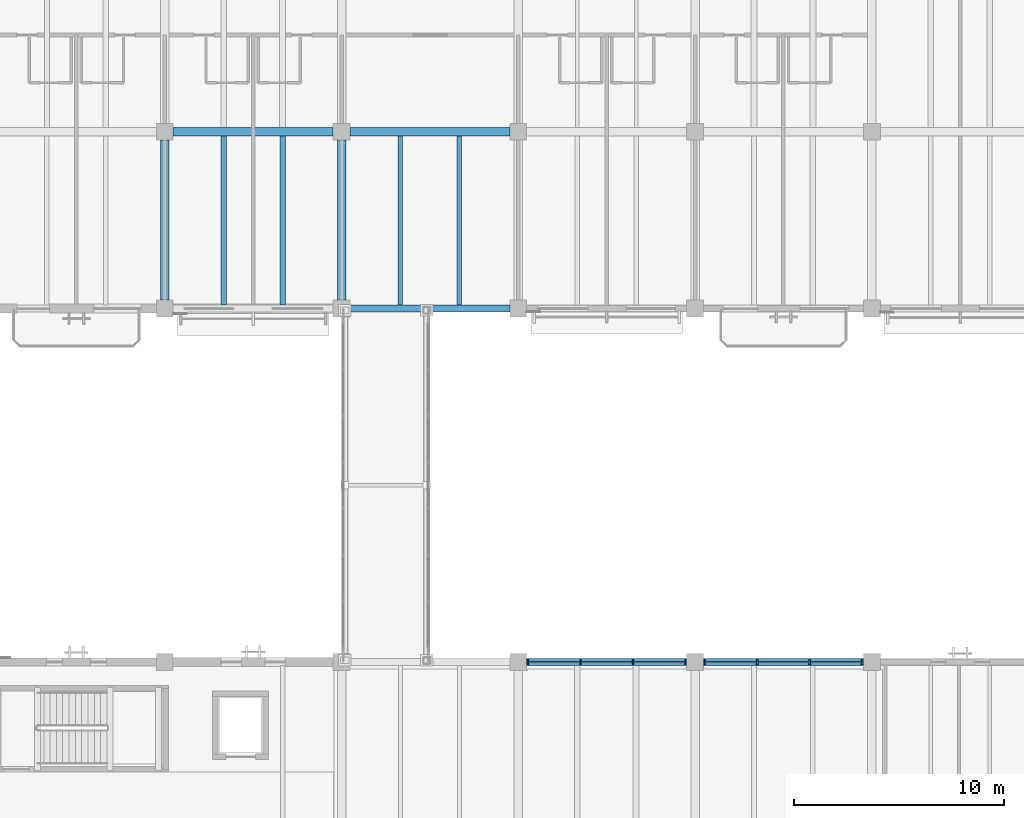
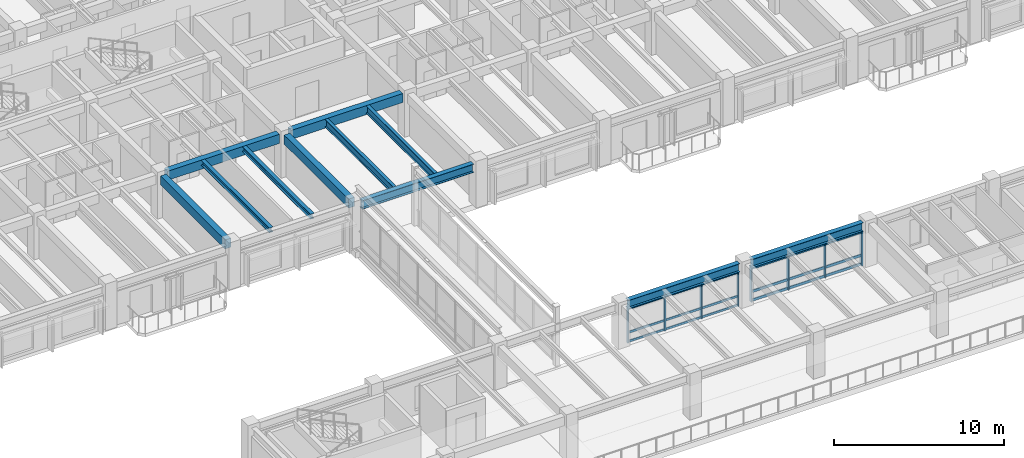
# One storey, part 16 of 123: 26 members, 11 beams, 2 elements without a shape of their own.
"""IFC4 building model written with IfcOpenShell, lengths in metres."""

from ifc_helpers import new_model, si_unit, direction, frame, origin, origin_2d, place, context, subcontext, project, spatial, rectangle, i_section, extrude, material, material_profile, profile_set, type_object, element, aggregate, save


model = new_model("IFC4")

# Units and contexts
model_context = context("Model", 3, precision=1e-05, world=origin(), true_north=direction((0.0, 1.0)))
body_context = subcontext(model_context, "Body", "Model", "MODEL_VIEW")
ifc_project = project(units=[si_unit("LENGTHUNIT", "METRE"), si_unit("AREAUNIT", "SQUARE_METRE"), si_unit("VOLUMEUNIT", "CUBIC_METRE"), si_unit("PLANEANGLEUNIT", "RADIAN"), si_unit("MASSUNIT", "GRAM", prefix="KILO")], contexts=[model_context])

# Site, building, storey
site_placement = place(None, origin())
site = spatial("IfcSite", under=ifc_project, at=site_placement, CompositionType="ELEMENT")
building_placement = place(site_placement, origin())
building = spatial("IfcBuilding", under=site, at=building_placement, Name="Cumbredor Promenade Congress Hotel", CompositionType="ELEMENT")
storey_placement = place(building_placement, frame((0.0, 0.0, 11.760009765625)))
storey = spatial("IfcBuildingStorey", under=building, at=storey_placement, Name="L03", CompositionType="ELEMENT", Elevation=11.760009765625)

# Beams
ifc_material_1 = material(Name="Concrete C40/50", Category="concrete")
ifc_material_profile_1 = material_profile(ifc_material_1, rectangle(XDim=0.39990234375, YDim=0.64990234375, at=origin_2d()), Name="RC BEAM 400x650")
ifc_profile_set_1 = profile_set([ifc_material_profile_1], Name="Concrete C40/50")
beam_type_1 = type_object("IfcBeamType", Name="BM-RC-400x650", PredefinedType="BEAM", material=ifc_profile_set_1)
for number, where, z_axis, x_axis, name in (
    (1, (16.800048828125, 84.39990234375, 2.715087890625), (0.0, 1.0, 0.0), (-1.0, 0.0, 0.0), "L04 Y-Grid Beam 044"),
    (2, (17.199951171875, 92.39990234375, 2.715087890625), (1.0, 0.0, 0.0), (0.0, 1.0, 0.0), "L04 X-Grid Beam 045"),
    (3, (25.199951171875, 84.39990234375, 2.715087890625), (0.0, 1.0, 0.0), (-1.0, 0.0, 0.0), "L04 Y-Grid Beam 057"),
):
    element("IfcBeam", number, at=place(storey_placement, frame(where, z_axis=z_axis, x_axis=x_axis)), inside=storey, type_object=beam_type_1, Name=name, PredefinedType="BEAM", context=body_context, shape_type="SweptSolid", body=[
        extrude(rectangle(XDim=0.39990234375, YDim=0.64990234375, at=origin_2d()), origin(), (0.0, 0.0, 1.0), 7.60009765625),
    ])
beam_1_placement = place(storey_placement, frame((25.60009765625, 92.39990234375, 2.715087890625), z_axis=(1.0, 0.0, 0.0), x_axis=(0.0, 1.0, 0.0)))
element("IfcBeam", 4, at=beam_1_placement, inside=storey, type_object=beam_type_1, Name="L04 X-Grid Beam 058", PredefinedType="BEAM", context=body_context, shape_type="SweptSolid", body=[
    extrude(rectangle(XDim=0.39990234375, YDim=0.64990234375, at=origin_2d()), origin(), (0.0, 0.0, 1.0), 7.599853515625),
])
ifc_material_2 = material(Name="Steel ASTM A992 Grade 50", Category="steel")
ifc_material_profile_2 = material_profile(ifc_material_2, i_section(OverallWidth=0.323974609375, OverallDepth=0.611083984375, WebThickness=0.0126953125, FlangeThickness=0.01904296875, at=origin_2d()), Name="W24X104")
ifc_profile_set_2 = profile_set([ifc_material_profile_2], Name="Steel ASTM A992 Grade 50")
beam_type_2 = type_object("IfcBeamType", Name="BM-W24X104", PredefinedType="BEAM", material=ifc_profile_set_2)
beam_2_placement = place(storey_placement, frame((25.60009765625, 84.0, 2.734375), z_axis=(1.0, 0.0, 0.0), x_axis=(0.0, 1.0, 0.0)))
element("IfcBeam", 5, at=beam_2_placement, inside=storey, type_object=beam_type_2, Name="L04 X-Grid Beam 056", PredefinedType="BEAM", context=body_context, shape_type="SweptSolid", body=[
    extrude(i_section(OverallWidth=0.323974609375, OverallDepth=0.611083984375, WebThickness=0.0126953125, FlangeThickness=0.01904296875, at=origin_2d()), origin(), (0.0, 0.0, 1.0), 7.599853515625),
])
for number, where, z_axis, x_axis, name in (
    (6, (34.0, 67.199951171875, 2.814453125), (1.0, 0.0, 0.0), (0.0, 1.0, 0.0), "L04 X-Grid Beam 067"),
    (7, (42.39990234375, 67.199951171875, 2.814453125), (1.0, 0.0, 0.0), (0.0, 1.0, 0.0), "L04 X-Grid Beam 080"),
):
    element("IfcBeam", number, at=place(storey_placement, frame(where, z_axis=z_axis, x_axis=x_axis)), inside=storey, type_object=beam_type_2, Name=name, PredefinedType="BEAM", context=body_context, shape_type="SweptSolid", body=[
        extrude(i_section(OverallWidth=0.323974609375, OverallDepth=0.611083984375, WebThickness=0.0126953125, FlangeThickness=0.01904296875, at=origin_2d()), origin(), (0.0, 0.0, 1.0), 7.60009765625),
    ])

# Curtain wall, members
ifc_material_3 = material(Name="Thermally broken anodized aluminium and low-E glass", Category="aluminium")
curtain_wall_type = type_object("IfcCurtainWallType", Name="Unitised Bronze Curtain Wall CW-01", PredefinedType="NOTDEFINED", material=ifc_material_3)
curtain_wall_1_placement = place(storey_placement, origin())
curtain_wall_1 = element("IfcCurtainWall", 8, at=curtain_wall_1_placement, inside=storey, type_object=curtain_wall_type, Name="L03 Plenary Congress Hall North Curtain Wall 4", PredefinedType="NOTDEFINED")
ifc_material_4 = material(Name="Thermally broken anodized aluminium", Category="aluminium")
ifc_material_profile_3 = material_profile(ifc_material_4, rectangle(XDim=0.074951171875, YDim=0.199951171875, at=origin_2d()), Name="ALU MULLION 75x200")
ifc_profile_set_3 = profile_set([ifc_material_profile_3], Name="Thermally broken anodized aluminium")
member_type_1 = type_object("IfcMemberType", Name="Curtain Wall Mullion ML-02", PredefinedType="MULLION", material=ifc_profile_set_3)
member_1_placement = place(storey_placement, frame((34.054931640625, 67.199951171875, -0.008056640625), z_axis=(0.0, 0.0, 1.0), x_axis=(1.0, 0.0, 0.0)))
member_1 = element("IfcMember", 9, at=member_1_placement, type_object=member_type_1, Name="L03 Plenary Congress Hall North Curtain Wall 4 Mullion 1", PredefinedType="MULLION", context=body_context, shape_type="SweptSolid", body=[
    extrude(rectangle(XDim=0.074951171875, YDim=0.199951171875, at=origin_2d()), origin(), (0.0, 0.0, 1.0), 2.510009765625),
])
member_2_placement = place(storey_placement, frame((36.5517578125, 67.199951171875, -0.008056640625), z_axis=(0.0, 0.0, 1.0), x_axis=(1.0, 0.0, 0.0)))
member_2 = element("IfcMember", 10, at=member_2_placement, type_object=member_type_1, Name="L03 Plenary Congress Hall North Curtain Wall 4 Mullion 2", PredefinedType="MULLION", context=body_context, shape_type="SweptSolid", body=[
    extrude(rectangle(XDim=0.074951171875, YDim=0.199951171875, at=origin_2d()), origin(), (0.0, 0.0, 1.0), 2.510009765625),
])
member_3_placement = place(storey_placement, frame((39.04833984375, 67.199951171875, -0.008056640625), z_axis=(0.0, 0.0, 1.0), x_axis=(1.0, 0.0, 0.0)))
member_3 = element("IfcMember", 11, at=member_3_placement, type_object=member_type_1, Name="L03 Plenary Congress Hall North Curtain Wall 4 Mullion 3", PredefinedType="MULLION", context=body_context, shape_type="SweptSolid", body=[
    extrude(rectangle(XDim=0.074951171875, YDim=0.199951171875, at=origin_2d()), origin(), (0.0, 0.0, 1.0), 2.510009765625),
])
member_4_placement = place(storey_placement, frame((41.544921875, 67.199951171875, -0.008056640625), z_axis=(0.0, 0.0, 1.0), x_axis=(1.0, 0.0, 0.0)))
member_4 = element("IfcMember", 12, at=member_4_placement, type_object=member_type_1, Name="L03 Plenary Congress Hall North Curtain Wall 4 Mullion 4", PredefinedType="MULLION", context=body_context, shape_type="SweptSolid", body=[
    extrude(rectangle(XDim=0.074951171875, YDim=0.199951171875, at=origin_2d()), origin(), (0.0, 0.0, 1.0), 2.510009765625),
])

curtain_wall_2_placement = place(storey_placement, origin())
curtain_wall_2 = element("IfcCurtainWall", 13, at=curtain_wall_2_placement, inside=storey, type_object=curtain_wall_type, Name="L03 Plenary Congress Hall North Curtain Wall 5", PredefinedType="NOTDEFINED")
ifc_material_profile_4 = material_profile(ifc_material_4, rectangle(XDim=0.080078125, YDim=0.239990234375, at=origin_2d()), Name="ALU MULLION 80x240")
ifc_profile_set_4 = profile_set([ifc_material_profile_4], Name="Thermally broken anodized aluminium")
member_type_2 = type_object("IfcMemberType", Name="Curtain Wall Mullion ML-03", PredefinedType="MULLION", material=ifc_profile_set_4)
member_5_placement = place(storey_placement, frame((42.455078125, 67.199951171875, -0.008056640625), z_axis=(0.0, 0.0, 1.0), x_axis=(1.0, 0.0, 0.0)))
member_5 = element("IfcMember", 14, at=member_5_placement, type_object=member_type_2, Name="L03 Plenary Congress Hall North Curtain Wall 5 Mullion 1", PredefinedType="MULLION", context=body_context, shape_type="SweptSolid", body=[
    extrude(rectangle(XDim=0.080078125, YDim=0.239990234375, at=origin_2d()), origin(), (0.0, 0.0, 1.0), 2.510009765625),
])
member_6_placement = place(storey_placement, frame((44.95166015625, 67.199951171875, -0.008056640625), z_axis=(0.0, 0.0, 1.0), x_axis=(1.0, 0.0, 0.0)))
member_6 = element("IfcMember", 15, at=member_6_placement, type_object=member_type_2, Name="L03 Plenary Congress Hall North Curtain Wall 5 Mullion 2", PredefinedType="MULLION", context=body_context, shape_type="SweptSolid", body=[
    extrude(rectangle(XDim=0.080078125, YDim=0.239990234375, at=origin_2d()), origin(), (0.0, 0.0, 1.0), 2.510009765625),
])
member_7_placement = place(storey_placement, frame((47.4482421875, 67.199951171875, -0.008056640625), z_axis=(0.0, 0.0, 1.0), x_axis=(1.0, 0.0, 0.0)))
member_7 = element("IfcMember", 16, at=member_7_placement, type_object=member_type_2, Name="L03 Plenary Congress Hall North Curtain Wall 5 Mullion 3", PredefinedType="MULLION", context=body_context, shape_type="SweptSolid", body=[
    extrude(rectangle(XDim=0.080078125, YDim=0.239990234375, at=origin_2d()), origin(), (0.0, 0.0, 1.0), 2.510009765625),
])
member_8_placement = place(storey_placement, frame((49.945068359375, 67.199951171875, -0.008056640625), z_axis=(0.0, 0.0, 1.0), x_axis=(1.0, 0.0, 0.0)))
member_8 = element("IfcMember", 17, at=member_8_placement, type_object=member_type_2, Name="L03 Plenary Congress Hall North Curtain Wall 5 Mullion 4", PredefinedType="MULLION", context=body_context, shape_type="SweptSolid", body=[
    extrude(rectangle(XDim=0.080078125, YDim=0.239990234375, at=origin_2d()), origin(), (0.0, 0.0, 1.0), 2.510009765625),
])

# Member
ifc_material_profile_5 = material_profile(ifc_material_4, rectangle(XDim=0.074951171875, YDim=0.14990234375, at=origin_2d()), Name="ALU TRANSOM 75x150")
ifc_profile_set_5 = profile_set([ifc_material_profile_5], Name="Thermally broken anodized aluminium")
member_type_3 = type_object("IfcMemberType", Name="Curtain Wall Transom TR-02", PredefinedType="USERDEFINED", material=ifc_profile_set_5)
member_9_placement = place(storey_placement, frame((34.092529296875, 67.199951171875, 0.070068359375), z_axis=(1.0, 0.0, 0.0), x_axis=(0.0, 1.0, 0.0)))
member_9 = element("IfcMember", 18, at=member_9_placement, type_object=member_type_3, Name="L03 Plenary Congress Hall North Curtain Wall 4 Transom 1.1", ObjectType="TRANSOM", PredefinedType="USERDEFINED", context=body_context, shape_type="SweptSolid", body=[
    extrude(rectangle(XDim=0.074951171875, YDim=0.14990234375, at=origin_2d()), origin(), (0.0, 0.0, 1.0), 2.421630859375),
])

member_10_placement = place(storey_placement, frame((34.092529296875, 67.199951171875, 0.719970703125), z_axis=(1.0, 0.0, 0.0), x_axis=(0.0, 1.0, 0.0)))
member_10 = element("IfcMember", 19, at=member_10_placement, type_object=member_type_3, Name="L03 Plenary Congress Hall North Curtain Wall 4 Transom 1.2", ObjectType="TRANSOM", PredefinedType="USERDEFINED", context=body_context, shape_type="SweptSolid", body=[
    extrude(rectangle(XDim=0.074951171875, YDim=0.14990234375, at=origin_2d()), origin(), (0.0, 0.0, 1.0), 2.421630859375),
])

member_11_placement = place(storey_placement, frame((34.092529296875, 67.199951171875, 2.419921875), z_axis=(1.0, 0.0, 0.0), x_axis=(0.0, 1.0, 0.0)))
member_11 = element("IfcMember", 20, at=member_11_placement, type_object=member_type_3, Name="L03 Plenary Congress Hall North Curtain Wall 4 Transom 1.3", ObjectType="TRANSOM", PredefinedType="USERDEFINED", context=body_context, shape_type="SweptSolid", body=[
    extrude(rectangle(XDim=0.074951171875, YDim=0.14990234375, at=origin_2d()), origin(), (0.0, 0.0, 1.0), 2.421630859375),
])

member_12_placement = place(storey_placement, frame((36.589111328125, 67.199951171875, 0.070068359375), z_axis=(1.0, 0.0, 0.0), x_axis=(0.0, 1.0, 0.0)))
member_12 = element("IfcMember", 21, at=member_12_placement, type_object=member_type_3, Name="L03 Plenary Congress Hall North Curtain Wall 4 Transom 2.1", ObjectType="TRANSOM", PredefinedType="USERDEFINED", context=body_context, shape_type="SweptSolid", body=[
    extrude(rectangle(XDim=0.074951171875, YDim=0.14990234375, at=origin_2d()), origin(), (0.0, 0.0, 1.0), 2.421630859375),
])

member_13_placement = place(storey_placement, frame((36.589111328125, 67.199951171875, 0.719970703125), z_axis=(1.0, 0.0, 0.0), x_axis=(0.0, 1.0, 0.0)))
member_13 = element("IfcMember", 22, at=member_13_placement, type_object=member_type_3, Name="L03 Plenary Congress Hall North Curtain Wall 4 Transom 2.2", ObjectType="TRANSOM", PredefinedType="USERDEFINED", context=body_context, shape_type="SweptSolid", body=[
    extrude(rectangle(XDim=0.074951171875, YDim=0.14990234375, at=origin_2d()), origin(), (0.0, 0.0, 1.0), 2.421630859375),
])

member_14_placement = place(storey_placement, frame((36.589111328125, 67.199951171875, 2.419921875), z_axis=(1.0, 0.0, 0.0), x_axis=(0.0, 1.0, 0.0)))
member_14 = element("IfcMember", 23, at=member_14_placement, type_object=member_type_3, Name="L03 Plenary Congress Hall North Curtain Wall 4 Transom 2.3", ObjectType="TRANSOM", PredefinedType="USERDEFINED", context=body_context, shape_type="SweptSolid", body=[
    extrude(rectangle(XDim=0.074951171875, YDim=0.14990234375, at=origin_2d()), origin(), (0.0, 0.0, 1.0), 2.421630859375),
])

member_15_placement = place(storey_placement, frame((39.085693359375, 67.199951171875, 0.070068359375), z_axis=(1.0, 0.0, 0.0), x_axis=(0.0, 1.0, 0.0)))
member_15 = element("IfcMember", 24, at=member_15_placement, type_object=member_type_3, Name="L03 Plenary Congress Hall North Curtain Wall 4 Transom 3.1", ObjectType="TRANSOM", PredefinedType="USERDEFINED", context=body_context, shape_type="SweptSolid", body=[
    extrude(rectangle(XDim=0.074951171875, YDim=0.14990234375, at=origin_2d()), origin(), (0.0, 0.0, 1.0), 2.421875),
])

member_16_placement = place(storey_placement, frame((39.085693359375, 67.199951171875, 0.719970703125), z_axis=(1.0, 0.0, 0.0), x_axis=(0.0, 1.0, 0.0)))
member_16 = element("IfcMember", 25, at=member_16_placement, type_object=member_type_3, Name="L03 Plenary Congress Hall North Curtain Wall 4 Transom 3.2", ObjectType="TRANSOM", PredefinedType="USERDEFINED", context=body_context, shape_type="SweptSolid", body=[
    extrude(rectangle(XDim=0.074951171875, YDim=0.14990234375, at=origin_2d()), origin(), (0.0, 0.0, 1.0), 2.421875),
])

member_17_placement = place(storey_placement, frame((39.085693359375, 67.199951171875, 2.419921875), z_axis=(1.0, 0.0, 0.0), x_axis=(0.0, 1.0, 0.0)))
member_17 = element("IfcMember", 26, at=member_17_placement, type_object=member_type_3, Name="L03 Plenary Congress Hall North Curtain Wall 4 Transom 3.3", ObjectType="TRANSOM", PredefinedType="USERDEFINED", context=body_context, shape_type="SweptSolid", body=[
    extrude(rectangle(XDim=0.074951171875, YDim=0.14990234375, at=origin_2d()), origin(), (0.0, 0.0, 1.0), 2.421875),
])

aggregate(curtain_wall_1, [member_1, member_2, member_3, member_4, member_9, member_10, member_11, member_12, member_13, member_14, member_15, member_16, member_17])

ifc_material_profile_6 = material_profile(ifc_material_4, rectangle(XDim=0.080078125, YDim=0.179931640625, at=origin_2d()), Name="ALU TRANSOM 80x180")
ifc_profile_set_6 = profile_set([ifc_material_profile_6], Name="Thermally broken anodized aluminium")
member_type_4 = type_object("IfcMemberType", Name="Curtain Wall Transom TR-03", PredefinedType="USERDEFINED", material=ifc_profile_set_6)
member_18_placement = place(storey_placement, frame((42.4951171875, 67.199951171875, 0.090087890625), z_axis=(1.0, 0.0, 0.0), x_axis=(0.0, 1.0, 0.0)))
member_18 = element("IfcMember", 27, at=member_18_placement, type_object=member_type_4, Name="L03 Plenary Congress Hall North Curtain Wall 5 Transom 1.1", ObjectType="TRANSOM", PredefinedType="USERDEFINED", context=body_context, shape_type="SweptSolid", body=[
    extrude(rectangle(XDim=0.080078125, YDim=0.179931640625, at=origin_2d()), origin(), (0.0, 0.0, 1.0), 2.41650390625),
])

member_19_placement = place(storey_placement, frame((42.4951171875, 67.199951171875, 0.719970703125), z_axis=(1.0, 0.0, 0.0), x_axis=(0.0, 1.0, 0.0)))
member_19 = element("IfcMember", 28, at=member_19_placement, type_object=member_type_4, Name="L03 Plenary Congress Hall North Curtain Wall 5 Transom 1.2", ObjectType="TRANSOM", PredefinedType="USERDEFINED", context=body_context, shape_type="SweptSolid", body=[
    extrude(rectangle(XDim=0.080078125, YDim=0.179931640625, at=origin_2d()), origin(), (0.0, 0.0, 1.0), 2.41650390625),
])

member_20_placement = place(storey_placement, frame((42.4951171875, 67.199951171875, 2.39990234375), z_axis=(1.0, 0.0, 0.0), x_axis=(0.0, 1.0, 0.0)))
member_20 = element("IfcMember", 29, at=member_20_placement, type_object=member_type_4, Name="L03 Plenary Congress Hall North Curtain Wall 5 Transom 1.3", ObjectType="TRANSOM", PredefinedType="USERDEFINED", context=body_context, shape_type="SweptSolid", body=[
    extrude(rectangle(XDim=0.080078125, YDim=0.179931640625, at=origin_2d()), origin(), (0.0, 0.0, 1.0), 2.41650390625),
])

member_21_placement = place(storey_placement, frame((44.99169921875, 67.199951171875, 0.090087890625), z_axis=(1.0, 0.0, 0.0), x_axis=(0.0, 1.0, 0.0)))
member_21 = element("IfcMember", 30, at=member_21_placement, type_object=member_type_4, Name="L03 Plenary Congress Hall North Curtain Wall 5 Transom 2.1", ObjectType="TRANSOM", PredefinedType="USERDEFINED", context=body_context, shape_type="SweptSolid", body=[
    extrude(rectangle(XDim=0.080078125, YDim=0.179931640625, at=origin_2d()), origin(), (0.0, 0.0, 1.0), 2.41650390625),
])

member_22_placement = place(storey_placement, frame((44.99169921875, 67.199951171875, 0.719970703125), z_axis=(1.0, 0.0, 0.0), x_axis=(0.0, 1.0, 0.0)))
member_22 = element("IfcMember", 31, at=member_22_placement, type_object=member_type_4, Name="L03 Plenary Congress Hall North Curtain Wall 5 Transom 2.2", ObjectType="TRANSOM", PredefinedType="USERDEFINED", context=body_context, shape_type="SweptSolid", body=[
    extrude(rectangle(XDim=0.080078125, YDim=0.179931640625, at=origin_2d()), origin(), (0.0, 0.0, 1.0), 2.41650390625),
])

member_23_placement = place(storey_placement, frame((44.99169921875, 67.199951171875, 2.39990234375), z_axis=(1.0, 0.0, 0.0), x_axis=(0.0, 1.0, 0.0)))
member_23 = element("IfcMember", 32, at=member_23_placement, type_object=member_type_4, Name="L03 Plenary Congress Hall North Curtain Wall 5 Transom 2.3", ObjectType="TRANSOM", PredefinedType="USERDEFINED", context=body_context, shape_type="SweptSolid", body=[
    extrude(rectangle(XDim=0.080078125, YDim=0.179931640625, at=origin_2d()), origin(), (0.0, 0.0, 1.0), 2.41650390625),
])

member_24_placement = place(storey_placement, frame((47.48828125, 67.199951171875, 0.090087890625), z_axis=(1.0, 0.0, 0.0), x_axis=(0.0, 1.0, 0.0)))
member_24 = element("IfcMember", 33, at=member_24_placement, type_object=member_type_4, Name="L03 Plenary Congress Hall North Curtain Wall 5 Transom 3.1", ObjectType="TRANSOM", PredefinedType="USERDEFINED", context=body_context, shape_type="SweptSolid", body=[
    extrude(rectangle(XDim=0.080078125, YDim=0.179931640625, at=origin_2d()), origin(), (0.0, 0.0, 1.0), 2.416748046875),
])

member_25_placement = place(storey_placement, frame((47.48828125, 67.199951171875, 0.719970703125), z_axis=(1.0, 0.0, 0.0), x_axis=(0.0, 1.0, 0.0)))
member_25 = element("IfcMember", 34, at=member_25_placement, type_object=member_type_4, Name="L03 Plenary Congress Hall North Curtain Wall 5 Transom 3.2", ObjectType="TRANSOM", PredefinedType="USERDEFINED", context=body_context, shape_type="SweptSolid", body=[
    extrude(rectangle(XDim=0.080078125, YDim=0.179931640625, at=origin_2d()), origin(), (0.0, 0.0, 1.0), 2.416748046875),
])

member_26_placement = place(storey_placement, frame((47.48828125, 67.199951171875, 2.39990234375), z_axis=(1.0, 0.0, 0.0), x_axis=(0.0, 1.0, 0.0)))
member_26 = element("IfcMember", 35, at=member_26_placement, type_object=member_type_4, Name="L03 Plenary Congress Hall North Curtain Wall 5 Transom 3.3", ObjectType="TRANSOM", PredefinedType="USERDEFINED", context=body_context, shape_type="SweptSolid", body=[
    extrude(rectangle(XDim=0.080078125, YDim=0.179931640625, at=origin_2d()), origin(), (0.0, 0.0, 1.0), 2.416748046875),
])

aggregate(curtain_wall_2, [member_5, member_6, member_7, member_8, member_18, member_19, member_20, member_21, member_22, member_23, member_24, member_25, member_26])

# Beams
ifc_material_profile_7 = material_profile(ifc_material_2, i_section(OverallWidth=0.2548828125, OverallDepth=0.35693359375, WebThickness=0.010498046875, FlangeThickness=0.018310546875, at=origin_2d()), Name="W14X68")
ifc_profile_set_7 = profile_set([ifc_material_profile_7], Name="Steel ASTM A992 Grade 50")
beam_type_3 = type_object("IfcBeamType", Name="JST-W14X68", PredefinedType="JOIST", material=ifc_profile_set_7)
for number, where, z_axis, x_axis, name in (
    (36, (19.60009765625, 84.162109375, 2.861572265625), (0.0, 1.0, 0.0), (-1.0, 0.0, 0.0), "L04 Secondary Floor Joist 0026"),
    (37, (22.39990234375, 84.162109375, 2.861572265625), (0.0, 1.0, 0.0), (-1.0, 0.0, 0.0), "L04 Secondary Floor Joist 0027"),
):
    element("IfcBeam", number, at=place(storey_placement, frame(where, z_axis=z_axis, x_axis=x_axis)), inside=storey, type_object=beam_type_3, Name=name, PredefinedType="JOIST", context=body_context, shape_type="SweptSolid", body=[
        extrude(i_section(OverallWidth=0.2548828125, OverallDepth=0.35693359375, WebThickness=0.010498046875, FlangeThickness=0.018310546875, at=origin_2d()), origin(), (0.0, 0.0, 1.0), 8.037841796875),
    ])
ifc_material_profile_8 = material_profile(ifc_material_2, i_section(OverallWidth=0.214111328125, OverallDepth=0.549072265625, WebThickness=0.0146484375, FlangeThickness=0.023681640625, at=origin_2d()), Name="W21X93")
ifc_profile_set_8 = profile_set([ifc_material_profile_8], Name="Steel ASTM A992 Grade 50")
beam_type_4 = type_object("IfcBeamType", Name="JST-W21X93", PredefinedType="JOIST", material=ifc_profile_set_8)
for number, where, z_axis, x_axis, name in (
    (38, (28.0, 84.162109375, 2.765380859375), (0.0, 1.0, 0.0), (-1.0, 0.0, 0.0), "L04 Secondary Floor Joist 0034"),
    (39, (30.800048828125, 84.162109375, 2.765380859375), (0.0, 1.0, 0.0), (-1.0, 0.0, 0.0), "L04 Secondary Floor Joist 0035"),
):
    element("IfcBeam", number, at=place(storey_placement, frame(where, z_axis=z_axis, x_axis=x_axis)), inside=storey, type_object=beam_type_4, Name=name, PredefinedType="JOIST", context=body_context, shape_type="SweptSolid", body=[
        extrude(i_section(OverallWidth=0.214111328125, OverallDepth=0.549072265625, WebThickness=0.0146484375, FlangeThickness=0.023681640625, at=origin_2d()), origin(), (0.0, 0.0, 1.0), 8.037841796875),
    ])

save(model, "model.ifc")
